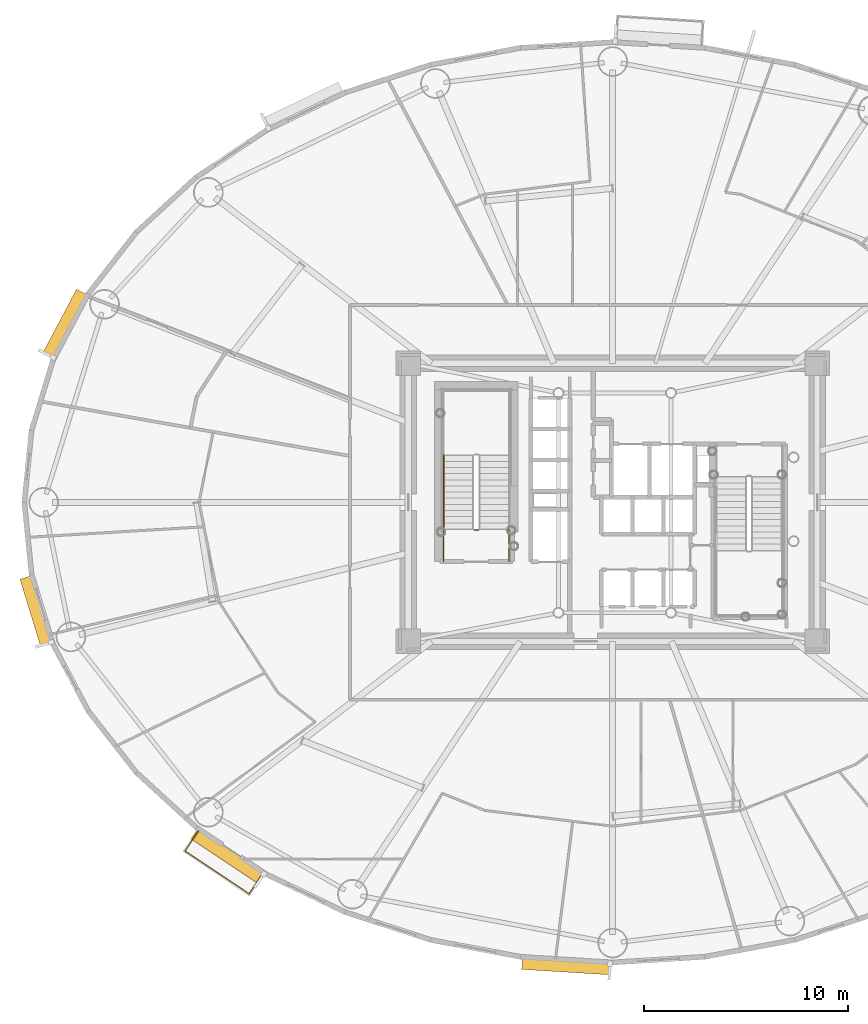
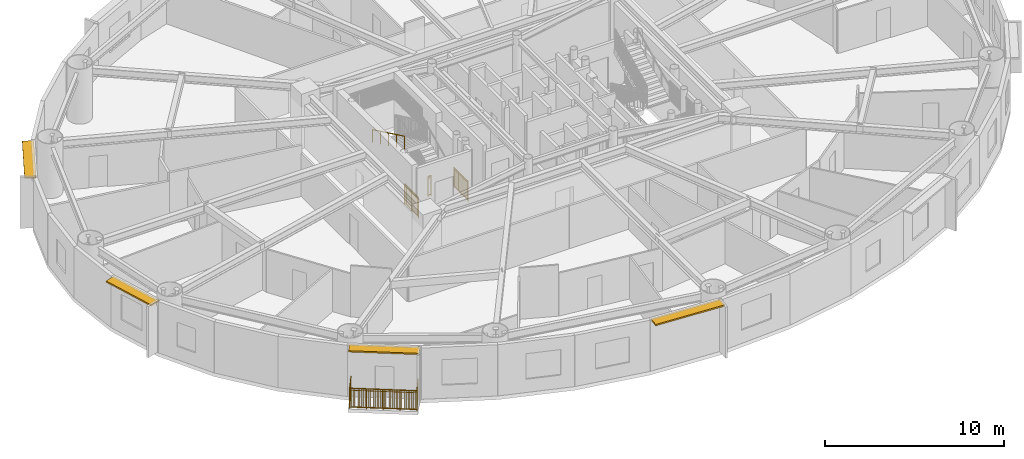
# One storey, part 17 of 22: 5 railings, 4 shading devices.
"""IFC4 building model written with IfcOpenShell, lengths in metres."""

from ifc_helpers import new_model, si_unit, direction, frame, origin, origin_2d, place, context, subcontext, project, spatial, rectangle, extrude, source, transform, mapped, material, layer, layer_set, type_object, element, save


model = new_model("IFC4")

# Units and contexts
model_context = context("Model", 3, precision=1e-05, world=origin(), true_north=direction((0.0, 1.0)))
body_context = subcontext(model_context, "Body", "Model", "MODEL_VIEW")
ifc_project = project(units=[si_unit("LENGTHUNIT", "METRE"), si_unit("AREAUNIT", "SQUARE_METRE"), si_unit("VOLUMEUNIT", "CUBIC_METRE"), si_unit("PLANEANGLEUNIT", "RADIAN"), si_unit("MASSUNIT", "GRAM", prefix="KILO")], contexts=[model_context])

# Site, building, storey
site_placement = place(None, origin())
site = spatial("IfcSite", under=ifc_project, at=site_placement, CompositionType="ELEMENT")
building_placement = place(site_placement, origin())
building = spatial("IfcBuilding", under=site, at=building_placement, Name="Linh Dai School and Residence Tower", CompositionType="ELEMENT")
storey_placement = place(building_placement, frame((0.0, 0.0, 130.949951171875)))
storey = spatial("IfcBuildingStorey", under=building, at=storey_placement, Name="L31", CompositionType="ELEMENT", Elevation=130.949951171875)

# Shading devices
ifc_material_1 = material(Name="Terracotta Ceramic Sunshade", Category="masonry")
ifc_layer = layer(ifc_material_1, 0.10009765625)
ifc_layer_set = layer_set([ifc_layer], Name="Terracotta Ceramic Sunshade")
shading_device_type = type_object("IfcShadingDeviceType", Name="SHD-TC-650", PredefinedType="USERDEFINED", material=ifc_layer_set)
shared_shape_1 = source(origin(), body_context, "Body", "SweptSolid", [
    extrude(rectangle(XDim=3.44384765625, YDim=0.64990234375, at=origin_2d()), origin(), (0.0, 0.0, 1.0), 0.10009765625),
])
shading_device_1_placement = place(storey_placement, frame((7.83154296875, 21.686279296875, 3.3798828125), z_axis=(0.0, 0.0, 1.0), x_axis=(-0.293133528962, 0.956071511028, 0.0)))
element("IfcShadingDevice", 1, at=shading_device_1_placement, inside=storey, type_object=shading_device_type, Name="L31 Terracotta Horizontal Sunshade Band 22", ObjectType="SUNSHADE", PredefinedType="USERDEFINED", context=body_context, shape_type="MappedRepresentation", body=[
    mapped(shared_shape_1, transform((0.0, 0.0, 0.0), x_axis=(1.0, 0.0, 0.0), y_axis=(0.0, 1.0, 0.0), z_axis=(0.0, 0.0, 1.0), scale=1.0)),
])
shared_shape_2 = source(origin(), body_context, "Body", "SweptSolid", [
    extrude(rectangle(XDim=3.96484375, YDim=0.64990234375, at=origin_2d()), origin(), (0.0, 0.0, 1.0), 0.10009765625),
])
shading_device_2_placement = place(storey_placement, frame((17.19970703125, 9.711669921875, 3.3798828125), z_axis=(0.0, 0.0, 1.0), x_axis=(-0.831240347736, 0.555913198527, 0.0)))
element("IfcShadingDevice", 2, at=shading_device_2_placement, inside=storey, type_object=shading_device_type, Name="L31 Terracotta Horizontal Sunshade Band 26", ObjectType="SUNSHADE", PredefinedType="USERDEFINED", context=body_context, shape_type="MappedRepresentation", body=[
    mapped(shared_shape_2, transform((0.0, 0.0, 0.0), x_axis=(1.0, 0.0, 0.0), y_axis=(0.0, 1.0, 0.0), z_axis=(0.0, 0.0, 1.0), scale=1.0)),
])
shared_shape_3 = source(origin(), body_context, "Body", "SweptSolid", [
    extrude(rectangle(XDim=4.33349609375, YDim=0.64990234375, at=origin_2d()), origin(), (0.0, 0.0, 1.0), 0.10009765625),
])
shading_device_3_placement = place(storey_placement, frame((33.729736328125, 4.349365234375, 3.3798828125), z_axis=(0.0, 0.0, 1.0), x_axis=(-0.998106513123, 0.061509255091, 0.0)))
element("IfcShadingDevice", 3, at=shading_device_3_placement, inside=storey, type_object=shading_device_type, Name="L31 Terracotta Horizontal Sunshade Band 30", ObjectType="SUNSHADE", PredefinedType="USERDEFINED", context=body_context, shape_type="MappedRepresentation", body=[
    mapped(shared_shape_3, transform((0.0, 0.0, 0.0), x_axis=(1.0, 0.0, 0.0), y_axis=(0.0, 1.0, 0.0), z_axis=(0.0, 0.0, 1.0), scale=1.0)),
])
shared_shape_4 = source(origin(), body_context, "Body", "SweptSolid", [
    extrude(rectangle(XDim=3.541015625, YDim=0.64990234375, at=origin_2d()), origin(), (0.0, 0.0, 1.0), 0.10009765625),
])
shading_device_4_placement = place(storey_placement, frame((9.240478515625, 35.708740234375, 3.3798828125), z_axis=(0.0, 0.0, 1.0), x_axis=(0.467596217252, 0.883942180016, 0.0)))
element("IfcShadingDevice", 4, at=shading_device_4_placement, inside=storey, type_object=shading_device_type, Name="L31 Terracotta Horizontal Sunshade Band 18", ObjectType="SUNSHADE", PredefinedType="USERDEFINED", context=body_context, shape_type="MappedRepresentation", body=[
    mapped(shared_shape_4, transform((0.0, 0.0, 0.0), x_axis=(1.0, 0.0, 0.0), y_axis=(0.0, 1.0, 0.0), z_axis=(0.0, 0.0, 1.0), scale=1.0)),
])

# Railings
ifc_material_2 = material(Name="Structural Steel S355JR", Category="steel")
railing_type_1 = type_object("IfcRailingType", Name="RL-BAL-1400", PredefinedType="BALUSTRADE", material=ifc_material_2)
shared_shape_5 = source(origin(), body_context, "Body", "SweptSolid", [
    extrude(rectangle(XDim=0.048095703125, YDim=0.048095703125, at=origin_2d()), frame((0.0, 0.0, 1.3759765625), z_axis=(-0.55589317819, -0.831253736498, 0.0), x_axis=(0.831253736498, -0.55589317819, 0.0)), (0.0, 0.0, 1.0), 1.18017578125),
    extrude(rectangle(XDim=0.048095703125, YDim=0.048095703125, at=origin_2d()), frame((0.0, 0.0, 0.10009765625), z_axis=(-0.55589317819, -0.831253736498, 0.0), x_axis=(0.831253736498, -0.55589317819, 0.0)), (0.0, 0.0, 1.0), 1.18017578125),
    extrude(rectangle(XDim=0.030029296875, YDim=0.030029296875, at=origin_2d()), frame((0.0, 0.0, 1.239990234375), z_axis=(-0.55589317819, -0.831253736498, 0.0), x_axis=(0.831253736498, -0.55589317819, 0.0)), (0.0, 0.0, 1.0), 1.18017578125),
    extrude(rectangle(XDim=0.02001953125, YDim=0.02001953125, at=origin_2d()), frame((-0.050537109375, -0.075439453125, 0.10009765625)), (0.0, 0.0, 1.0), 1.251708984375),
    extrude(rectangle(XDim=0.02001953125, YDim=0.02001953125, at=origin_2d()), frame((-0.100830078125, -0.15087890625, 0.10009765625)), (0.0, 0.0, 1.0), 1.251708984375),
    extrude(rectangle(XDim=0.02001953125, YDim=0.02001953125, at=origin_2d()), frame((-0.1513671875, -0.226318359375, 0.10009765625)), (0.0, 0.0, 1.0), 1.251708984375),
    extrude(rectangle(XDim=0.02001953125, YDim=0.02001953125, at=origin_2d()), frame((-0.201904296875, -0.3017578125, 0.10009765625)), (0.0, 0.0, 1.0), 1.251708984375),
    extrude(rectangle(XDim=0.02001953125, YDim=0.02001953125, at=origin_2d()), frame((-0.252197265625, -0.377197265625, 0.10009765625)), (0.0, 0.0, 1.0), 1.251708984375),
    extrude(rectangle(XDim=0.02001953125, YDim=0.02001953125, at=origin_2d()), frame((-0.302734375, -0.45263671875, 0.10009765625)), (0.0, 0.0, 1.0), 1.251708984375),
    extrude(rectangle(XDim=0.02001953125, YDim=0.02001953125, at=origin_2d()), frame((-0.353271484375, -0.5283203125, 0.10009765625)), (0.0, 0.0, 1.0), 1.251708984375),
    extrude(rectangle(XDim=0.02001953125, YDim=0.02001953125, at=origin_2d()), frame((-0.40380859375, -0.603759765625, 0.10009765625)), (0.0, 0.0, 1.0), 1.251708984375),
    extrude(rectangle(XDim=0.02001953125, YDim=0.02001953125, at=origin_2d()), frame((-0.4541015625, -0.67919921875, 0.10009765625)), (0.0, 0.0, 1.0), 1.251708984375),
    extrude(rectangle(XDim=0.02001953125, YDim=0.02001953125, at=origin_2d()), frame((-0.504638671875, -0.754638671875, 0.10009765625)), (0.0, 0.0, 1.0), 1.251708984375),
    extrude(rectangle(XDim=0.02001953125, YDim=0.02001953125, at=origin_2d()), frame((-0.55517578125, -0.830078125, 0.10009765625)), (0.0, 0.0, 1.0), 1.251708984375),
    extrude(rectangle(XDim=0.02001953125, YDim=0.02001953125, at=origin_2d()), frame((-0.60546875, -0.905517578125, 0.10009765625)), (0.0, 0.0, 1.0), 1.251708984375),
    extrude(rectangle(XDim=0.048095703125, YDim=0.048095703125, at=origin_2d()), frame((-0.656005859375, -0.98095703125, 1.3759765625), z_axis=(-0.831222471148, 0.555939927922, 0.0), x_axis=(-0.555939927922, -0.831222471148, 0.0)), (0.0, 0.0, 1.0), 3.77001953125),
    extrude(rectangle(XDim=0.048095703125, YDim=0.048095703125, at=origin_2d()), frame((-0.656005859375, -0.98095703125, 0.10009765625), z_axis=(-0.831222471148, 0.555939927922, 0.0), x_axis=(-0.555939927922, -0.831222471148, 0.0)), (0.0, 0.0, 1.0), 3.77001953125),
    extrude(rectangle(XDim=0.030029296875, YDim=0.030029296875, at=origin_2d()), frame((-0.656005859375, -0.98095703125, 1.239990234375), z_axis=(-0.831222471148, 0.555939927922, 0.0), x_axis=(-0.555939927922, -0.831222471148, 0.0)), (0.0, 0.0, 1.0), 3.77001953125),
    extrude(rectangle(XDim=0.02001953125, YDim=0.02001953125, at=origin_2d()), frame((-0.736328125, -0.92724609375, 0.10009765625)), (0.0, 0.0, 1.0), 1.251708984375),
    extrude(rectangle(XDim=0.02001953125, YDim=0.02001953125, at=origin_2d()), frame((-0.816650390625, -0.87353515625, 0.10009765625)), (0.0, 0.0, 1.0), 1.251708984375),
    extrude(rectangle(XDim=0.02001953125, YDim=0.02001953125, at=origin_2d()), frame((-0.89697265625, -0.81982421875, 0.10009765625)), (0.0, 0.0, 1.0), 1.251708984375),
    extrude(rectangle(XDim=0.02001953125, YDim=0.02001953125, at=origin_2d()), frame((-0.9775390625, -0.765869140625, 0.10009765625)), (0.0, 0.0, 1.0), 1.251708984375),
    extrude(rectangle(XDim=0.02001953125, YDim=0.02001953125, at=origin_2d()), frame((-1.057861328125, -0.712158203125, 0.10009765625)), (0.0, 0.0, 1.0), 1.251708984375),
    extrude(rectangle(XDim=0.02001953125, YDim=0.02001953125, at=origin_2d()), frame((-1.13818359375, -0.658447265625, 0.10009765625)), (0.0, 0.0, 1.0), 1.251708984375),
    extrude(rectangle(XDim=0.02001953125, YDim=0.02001953125, at=origin_2d()), frame((-1.218505859375, -0.604736328125, 0.10009765625)), (0.0, 0.0, 1.0), 1.251708984375),
    extrude(rectangle(XDim=0.02001953125, YDim=0.02001953125, at=origin_2d()), frame((-1.298828125, -0.551025390625, 0.10009765625)), (0.0, 0.0, 1.0), 1.251708984375),
    extrude(rectangle(XDim=0.02001953125, YDim=0.02001953125, at=origin_2d()), frame((-1.379150390625, -0.497314453125, 0.10009765625)), (0.0, 0.0, 1.0), 1.251708984375),
    extrude(rectangle(XDim=0.02001953125, YDim=0.02001953125, at=origin_2d()), frame((-1.539794921875, -0.389892578125, 0.10009765625)), (0.0, 0.0, 1.0), 1.251708984375),
    extrude(rectangle(XDim=0.02001953125, YDim=0.02001953125, at=origin_2d()), frame((-1.620361328125, -0.3359375, 0.10009765625)), (0.0, 0.0, 1.0), 1.251708984375),
    extrude(rectangle(XDim=0.02001953125, YDim=0.02001953125, at=origin_2d()), frame((-1.70068359375, -0.2822265625, 0.10009765625)), (0.0, 0.0, 1.0), 1.251708984375),
    extrude(rectangle(XDim=0.02001953125, YDim=0.02001953125, at=origin_2d()), frame((-1.781005859375, -0.228515625, 0.10009765625)), (0.0, 0.0, 1.0), 1.251708984375),
    extrude(rectangle(XDim=0.02001953125, YDim=0.02001953125, at=origin_2d()), frame((-1.861328125, -0.1748046875, 0.10009765625)), (0.0, 0.0, 1.0), 1.251708984375),
    extrude(rectangle(XDim=0.02001953125, YDim=0.02001953125, at=origin_2d()), frame((-1.941650390625, -0.12109375, 0.10009765625)), (0.0, 0.0, 1.0), 1.251708984375),
    extrude(rectangle(XDim=0.02001953125, YDim=0.02001953125, at=origin_2d()), frame((-2.02197265625, -0.0673828125, 0.10009765625)), (0.0, 0.0, 1.0), 1.251708984375),
    extrude(rectangle(XDim=0.02001953125, YDim=0.02001953125, at=origin_2d()), frame((-2.102294921875, -0.013671875, 0.10009765625)), (0.0, 0.0, 1.0), 1.251708984375),
    extrude(rectangle(XDim=0.02001953125, YDim=0.02001953125, at=origin_2d()), frame((-2.1826171875, 0.0400390625, 0.10009765625)), (0.0, 0.0, 1.0), 1.251708984375),
    extrude(rectangle(XDim=0.02001953125, YDim=0.02001953125, at=origin_2d()), frame((-2.26318359375, 0.093994140625, 0.10009765625)), (0.0, 0.0, 1.0), 1.251708984375),
    extrude(rectangle(XDim=0.02001953125, YDim=0.02001953125, at=origin_2d()), frame((-2.343505859375, 0.147705078125, 0.10009765625)), (0.0, 0.0, 1.0), 1.251708984375),
    extrude(rectangle(XDim=0.02001953125, YDim=0.02001953125, at=origin_2d()), frame((-2.423828125, 0.201416015625, 0.10009765625)), (0.0, 0.0, 1.0), 1.251708984375),
    extrude(rectangle(XDim=0.02001953125, YDim=0.02001953125, at=origin_2d()), frame((-2.504150390625, 0.255126953125, 0.10009765625)), (0.0, 0.0, 1.0), 1.251708984375),
    extrude(rectangle(XDim=0.02001953125, YDim=0.02001953125, at=origin_2d()), frame((-2.58447265625, 0.308837890625, 0.10009765625)), (0.0, 0.0, 1.0), 1.251708984375),
    extrude(rectangle(XDim=0.02001953125, YDim=0.02001953125, at=origin_2d()), frame((-2.664794921875, 0.362548828125, 0.10009765625)), (0.0, 0.0, 1.0), 1.251708984375),
    extrude(rectangle(XDim=0.02001953125, YDim=0.02001953125, at=origin_2d()), frame((-2.7451171875, 0.416259765625, 0.10009765625)), (0.0, 0.0, 1.0), 1.251708984375),
    extrude(rectangle(XDim=0.02001953125, YDim=0.02001953125, at=origin_2d()), frame((-2.825439453125, 0.469970703125, 0.10009765625)), (0.0, 0.0, 1.0), 1.251708984375),
    extrude(rectangle(XDim=0.02001953125, YDim=0.02001953125, at=origin_2d()), frame((-2.906005859375, 0.52392578125, 0.10009765625)), (0.0, 0.0, 1.0), 1.251708984375),
    extrude(rectangle(XDim=0.02001953125, YDim=0.02001953125, at=origin_2d()), frame((-3.066650390625, 0.63134765625, 0.10009765625)), (0.0, 0.0, 1.0), 1.251708984375),
    extrude(rectangle(XDim=0.02001953125, YDim=0.02001953125, at=origin_2d()), frame((-3.14697265625, 0.68505859375, 0.10009765625)), (0.0, 0.0, 1.0), 1.251708984375),
    extrude(rectangle(XDim=0.02001953125, YDim=0.02001953125, at=origin_2d()), frame((-3.227294921875, 0.73876953125, 0.10009765625)), (0.0, 0.0, 1.0), 1.251708984375),
    extrude(rectangle(XDim=0.02001953125, YDim=0.02001953125, at=origin_2d()), frame((-3.3076171875, 0.79248046875, 0.10009765625)), (0.0, 0.0, 1.0), 1.251708984375),
    extrude(rectangle(XDim=0.02001953125, YDim=0.02001953125, at=origin_2d()), frame((-3.387939453125, 0.84619140625, 0.10009765625)), (0.0, 0.0, 1.0), 1.251708984375),
    extrude(rectangle(XDim=0.02001953125, YDim=0.02001953125, at=origin_2d()), frame((-3.46826171875, 0.89990234375, 0.10009765625)), (0.0, 0.0, 1.0), 1.251708984375),
    extrude(rectangle(XDim=0.02001953125, YDim=0.02001953125, at=origin_2d()), frame((-3.548828125, 0.953857421875, 0.10009765625)), (0.0, 0.0, 1.0), 1.251708984375),
    extrude(rectangle(XDim=0.02001953125, YDim=0.02001953125, at=origin_2d()), frame((-3.629150390625, 1.007568359375, 0.10009765625)), (0.0, 0.0, 1.0), 1.251708984375),
    extrude(rectangle(XDim=0.02001953125, YDim=0.02001953125, at=origin_2d()), frame((-3.70947265625, 1.061279296875, 0.10009765625)), (0.0, 0.0, 1.0), 1.251708984375),
    extrude(rectangle(XDim=0.048095703125, YDim=0.048095703125, at=origin_2d()), frame((-3.789794921875, 1.114990234375, 1.3759765625), z_axis=(0.555988788917, 0.831189789758, 0.0), x_axis=(-0.831189789758, 0.555988788917, 0.0)), (0.0, 0.0, 1.0), 1.179931640625),
    extrude(rectangle(XDim=0.048095703125, YDim=0.048095703125, at=origin_2d()), frame((-3.789794921875, 1.114990234375, 0.10009765625), z_axis=(0.555988788917, 0.831189789758, 0.0), x_axis=(-0.831189789758, 0.555988788917, 0.0)), (0.0, 0.0, 1.0), 1.179931640625),
    extrude(rectangle(XDim=0.030029296875, YDim=0.030029296875, at=origin_2d()), frame((-3.789794921875, 1.114990234375, 1.239990234375), z_axis=(0.555988788917, 0.831189789758, 0.0), x_axis=(-0.831189789758, 0.555988788917, 0.0)), (0.0, 0.0, 1.0), 1.179931640625),
    extrude(rectangle(XDim=0.02001953125, YDim=0.02001953125, at=origin_2d()), frame((-3.7392578125, 1.1904296875, 0.10009765625)), (0.0, 0.0, 1.0), 1.251708984375),
    extrude(rectangle(XDim=0.02001953125, YDim=0.02001953125, at=origin_2d()), frame((-3.68896484375, 1.265869140625, 0.10009765625)), (0.0, 0.0, 1.0), 1.251708984375),
    extrude(rectangle(XDim=0.02001953125, YDim=0.02001953125, at=origin_2d()), frame((-3.638427734375, 1.34130859375, 0.10009765625)), (0.0, 0.0, 1.0), 1.251708984375),
    extrude(rectangle(XDim=0.02001953125, YDim=0.02001953125, at=origin_2d()), frame((-3.587890625, 1.416748046875, 0.10009765625)), (0.0, 0.0, 1.0), 1.251708984375),
    extrude(rectangle(XDim=0.02001953125, YDim=0.02001953125, at=origin_2d()), frame((-3.53759765625, 1.4921875, 0.10009765625)), (0.0, 0.0, 1.0), 1.251708984375),
    extrude(rectangle(XDim=0.02001953125, YDim=0.02001953125, at=origin_2d()), frame((-3.487060546875, 1.567626953125, 0.10009765625)), (0.0, 0.0, 1.0), 1.251708984375),
    extrude(rectangle(XDim=0.02001953125, YDim=0.02001953125, at=origin_2d()), frame((-3.4365234375, 1.64306640625, 0.10009765625)), (0.0, 0.0, 1.0), 1.251708984375),
    extrude(rectangle(XDim=0.02001953125, YDim=0.02001953125, at=origin_2d()), frame((-3.385986328125, 1.718505859375, 0.10009765625)), (0.0, 0.0, 1.0), 1.251708984375),
    extrude(rectangle(XDim=0.02001953125, YDim=0.02001953125, at=origin_2d()), frame((-3.335693359375, 1.7939453125, 0.10009765625)), (0.0, 0.0, 1.0), 1.251708984375),
    extrude(rectangle(XDim=0.02001953125, YDim=0.02001953125, at=origin_2d()), frame((-3.28515625, 1.869384765625, 0.10009765625)), (0.0, 0.0, 1.0), 1.251708984375),
    extrude(rectangle(XDim=0.02001953125, YDim=0.02001953125, at=origin_2d()), frame((-3.234619140625, 1.94482421875, 0.10009765625)), (0.0, 0.0, 1.0), 1.251708984375),
    extrude(rectangle(XDim=0.02001953125, YDim=0.02001953125, at=origin_2d()), frame((-3.184326171875, 2.020263671875, 0.10009765625)), (0.0, 0.0, 1.0), 1.251708984375),
    extrude(rectangle(XDim=0.0419921875, YDim=0.0419921875, at=origin_2d()), origin(), (0.0, 0.0, 1.0), 1.3759765625),
    extrude(rectangle(XDim=0.0419921875, YDim=0.0419921875, at=origin_2d()), frame((-0.656005859375, -0.98095703125, 0.0)), (0.0, 0.0, 1.0), 1.3759765625),
    extrude(rectangle(XDim=0.0419921875, YDim=0.0419921875, at=origin_2d()), frame((-1.439453125, -0.45703125, 0.0)), (0.0, 0.0, 1.0), 1.3759765625),
    extrude(rectangle(XDim=0.0419921875, YDim=0.0419921875, at=origin_2d()), frame((-2.222900390625, 0.06689453125, 0.0)), (0.0, 0.0, 1.0), 1.3759765625),
    extrude(rectangle(XDim=0.0419921875, YDim=0.0419921875, at=origin_2d()), frame((-3.00634765625, 0.591064453125, 0.0)), (0.0, 0.0, 1.0), 1.3759765625),
    extrude(rectangle(XDim=0.0419921875, YDim=0.0419921875, at=origin_2d()), frame((-3.789794921875, 1.114990234375, 0.0)), (0.0, 0.0, 1.0), 1.3759765625),
    extrude(rectangle(XDim=0.0419921875, YDim=0.0419921875, at=origin_2d()), frame((-3.1337890625, 2.095703125, 0.0)), (0.0, 0.0, 1.0), 1.3759765625),
])
railing_1_placement = place(storey_placement, frame((18.8779296875, 8.830078125, 0.0)))
element("IfcRailing", 5, at=railing_1_placement, inside=storey, type_object=railing_type_1, Name="L31 Balcony Safety Balustrade 26", PredefinedType="BALUSTRADE", context=body_context, shape_type="MappedRepresentation", body=[
    mapped(shared_shape_5, transform((0.0, 0.0, 0.0), x_axis=(1.0, 0.0, 0.0), y_axis=(0.0, 1.0, 0.0), z_axis=(0.0, 0.0, 1.0), scale=1.0)),
])
railing_type_2 = type_object("IfcRailingType", Name="RL-ST-GUARD-1400", PredefinedType="GUARDRAIL", material=ifc_material_2)
shared_shape_6 = source(origin(), body_context, "Body", "SweptSolid", [
    extrude(rectangle(XDim=0.048095703125, YDim=0.048095703125, at=origin_2d()), frame((0.0, 0.0, 1.3759765625), z_axis=(-1.0, 0.0, 0.0), x_axis=(0.0, -1.0, 0.0)), (0.0, 0.0, 1.0), 0.199951171875),
    extrude(rectangle(XDim=0.048095703125, YDim=0.048095703125, at=origin_2d()), frame((0.0, 0.0, 0.10009765625), z_axis=(-1.0, 0.0, 0.0), x_axis=(0.0, -1.0, 0.0)), (0.0, 0.0, 1.0), 0.199951171875),
    extrude(rectangle(XDim=0.030029296875, YDim=0.030029296875, at=origin_2d()), frame((0.0, 0.0, 1.239990234375), z_axis=(-1.0, 0.0, 0.0), x_axis=(0.0, -1.0, 0.0)), (0.0, 0.0, 1.0), 0.199951171875),
    extrude(rectangle(XDim=0.0419921875, YDim=0.0419921875, at=origin_2d()), origin(), (0.0, 0.0, 1.0), 1.3759765625),
    extrude(rectangle(XDim=0.0419921875, YDim=0.0419921875, at=origin_2d()), frame((-0.199951171875, 0.0, 0.0)), (0.0, 0.0, 1.0), 1.3759765625),
])
railing_2_placement = place(storey_placement, frame((29.429931640625, 25.64990234375, 0.0)))
element("IfcRailing", 6, at=railing_2_placement, inside=storey, type_object=railing_type_2, Name="L31 ST1 stair guard 7", PredefinedType="GUARDRAIL", context=body_context, shape_type="MappedRepresentation", body=[
    mapped(shared_shape_6, transform((0.0, 0.0, 0.0), x_axis=(1.0, 0.0, 0.0), y_axis=(0.0, 1.0, 0.0), z_axis=(0.0, 0.0, 1.0), scale=1.0)),
])
shared_shape_7 = source(origin(), body_context, "Body", "SweptSolid", [
    extrude(rectangle(XDim=0.048095703125, YDim=0.048095703125, at=origin_2d()), frame((0.0, 0.0, 1.3759765625), z_axis=(0.0, 1.0, 0.0), x_axis=(-1.0, 0.0, 0.0)), (0.0, 0.0, 1.0), 1.599853515625),
    extrude(rectangle(XDim=0.048095703125, YDim=0.048095703125, at=origin_2d()), frame((0.0, 0.0, 0.10009765625), z_axis=(0.0, 1.0, 0.0), x_axis=(-1.0, 0.0, 0.0)), (0.0, 0.0, 1.0), 1.599853515625),
    extrude(rectangle(XDim=0.030029296875, YDim=0.030029296875, at=origin_2d()), frame((0.0, 0.0, 1.239990234375), z_axis=(0.0, 1.0, 0.0), x_axis=(-1.0, 0.0, 0.0)), (0.0, 0.0, 1.0), 1.599853515625),
    extrude(rectangle(XDim=0.02001953125, YDim=0.02001953125, at=origin_2d()), frame((0.0, 0.093994140625, 0.10009765625)), (0.0, 0.0, 1.0), 1.251708984375),
    extrude(rectangle(XDim=0.02001953125, YDim=0.02001953125, at=origin_2d()), frame((0.0, 0.188232421875, 0.10009765625)), (0.0, 0.0, 1.0), 1.251708984375),
    extrude(rectangle(XDim=0.02001953125, YDim=0.02001953125, at=origin_2d()), frame((0.0, 0.2822265625, 0.10009765625)), (0.0, 0.0, 1.0), 1.251708984375),
    extrude(rectangle(XDim=0.02001953125, YDim=0.02001953125, at=origin_2d()), frame((0.0, 0.37646484375, 0.10009765625)), (0.0, 0.0, 1.0), 1.251708984375),
    extrude(rectangle(XDim=0.02001953125, YDim=0.02001953125, at=origin_2d()), frame((0.0, 0.470458984375, 0.10009765625)), (0.0, 0.0, 1.0), 1.251708984375),
    extrude(rectangle(XDim=0.02001953125, YDim=0.02001953125, at=origin_2d()), frame((0.0, 0.564697265625, 0.10009765625)), (0.0, 0.0, 1.0), 1.251708984375),
    extrude(rectangle(XDim=0.02001953125, YDim=0.02001953125, at=origin_2d()), frame((0.0, 0.65869140625, 0.10009765625)), (0.0, 0.0, 1.0), 1.251708984375),
    extrude(rectangle(XDim=0.02001953125, YDim=0.02001953125, at=origin_2d()), frame((0.0, 0.7529296875, 0.10009765625)), (0.0, 0.0, 1.0), 1.251708984375),
    extrude(rectangle(XDim=0.02001953125, YDim=0.02001953125, at=origin_2d()), frame((0.0, 0.846923828125, 0.10009765625)), (0.0, 0.0, 1.0), 1.251708984375),
    extrude(rectangle(XDim=0.02001953125, YDim=0.02001953125, at=origin_2d()), frame((0.0, 0.941162109375, 0.10009765625)), (0.0, 0.0, 1.0), 1.251708984375),
    extrude(rectangle(XDim=0.02001953125, YDim=0.02001953125, at=origin_2d()), frame((0.0, 1.03515625, 0.10009765625)), (0.0, 0.0, 1.0), 1.251708984375),
    extrude(rectangle(XDim=0.02001953125, YDim=0.02001953125, at=origin_2d()), frame((0.0, 1.12939453125, 0.10009765625)), (0.0, 0.0, 1.0), 1.251708984375),
    extrude(rectangle(XDim=0.02001953125, YDim=0.02001953125, at=origin_2d()), frame((0.0, 1.223388671875, 0.10009765625)), (0.0, 0.0, 1.0), 1.251708984375),
    extrude(rectangle(XDim=0.02001953125, YDim=0.02001953125, at=origin_2d()), frame((0.0, 1.317626953125, 0.10009765625)), (0.0, 0.0, 1.0), 1.251708984375),
    extrude(rectangle(XDim=0.02001953125, YDim=0.02001953125, at=origin_2d()), frame((0.0, 1.41162109375, 0.10009765625)), (0.0, 0.0, 1.0), 1.251708984375),
    extrude(rectangle(XDim=0.02001953125, YDim=0.02001953125, at=origin_2d()), frame((0.0, 1.505859375, 0.10009765625)), (0.0, 0.0, 1.0), 1.251708984375),
    extrude(rectangle(XDim=0.0419921875, YDim=0.0419921875, at=origin_2d()), origin(), (0.0, 0.0, 1.0), 1.3759765625),
    extrude(rectangle(XDim=0.0419921875, YDim=0.0419921875, at=origin_2d()), frame((0.0, 0.7998046875, 0.0)), (0.0, 0.0, 1.0), 1.3759765625),
    extrude(rectangle(XDim=0.0419921875, YDim=0.0419921875, at=origin_2d()), frame((0.0, 1.599853515625, 0.0)), (0.0, 0.0, 1.0), 1.3759765625),
])
for number, where, name in (
    (7, (30.929931640625, 24.10009765625, 0.0), "L31 ST1 stair guard 8"),
    (8, (27.72998046875, 24.10009765625, 0.0), "L31 ST1 stair guard 9"),
):
    element("IfcRailing", number, at=place(storey_placement, frame(where)), inside=storey, type_object=railing_type_2, Name=name, PredefinedType="GUARDRAIL", context=body_context, shape_type="MappedRepresentation", body=[
        mapped(shared_shape_7, transform((0.0, 0.0, 0.0), x_axis=(1.0, 0.0, 0.0), y_axis=(0.0, 1.0, 0.0), z_axis=(0.0, 0.0, 1.0), scale=1.0)),
    ])
ifc_material_3 = material(Name="Brushed Stainless Steel Handrail", Category="steel")
railing_type_3 = type_object("IfcRailingType", Name="RL-ST-HANDRAIL-900", PredefinedType="HANDRAIL", material=ifc_material_3)
shared_shape_8 = source(origin(), body_context, "Body", "SweptSolid", [
    extrude(rectangle(XDim=0.048095703125, YDim=0.048095703125, at=origin_2d()), frame((0.0, 0.0, 0.8759765625), z_axis=(0.0, -0.901262522062, 0.433273431364), x_axis=(1.0, 0.0, 0.0)), (0.0, 0.0, 1.0), 3.994384765625),
    extrude(rectangle(XDim=0.0419921875, YDim=0.0419921875, at=origin_2d()), origin(), (0.0, 0.0, 1.0), 0.8759765625),
    extrude(rectangle(XDim=0.0419921875, YDim=0.0419921875, at=origin_2d()), frame((0.0, -0.89990234375, 0.4326171875)), (0.0, 0.0, 1.0), 0.8759765625),
    extrude(rectangle(XDim=0.0419921875, YDim=0.0419921875, at=origin_2d()), frame((0.0, -1.800048828125, 0.865234375)), (0.0, 0.0, 1.0), 0.8759765625),
    extrude(rectangle(XDim=0.0419921875, YDim=0.0419921875, at=origin_2d()), frame((0.0, -2.7001953125, 1.298095703125)), (0.0, 0.0, 1.0), 0.8759765625),
    extrude(rectangle(XDim=0.0419921875, YDim=0.0419921875, at=origin_2d()), frame((0.0, -3.60009765625, 1.730712890625)), (0.0, 0.0, 1.0), 0.8759765625),
])
railing_3_placement = place(storey_placement, frame((27.72998046875, 29.300048828125, 2.019287109375)))
element("IfcRailing", 9, at=railing_3_placement, inside=storey, type_object=railing_type_3, Name="L31 ST1 stair handrail 2", PredefinedType="HANDRAIL", context=body_context, shape_type="MappedRepresentation", body=[
    mapped(shared_shape_8, transform((0.0, 0.0, 0.0), x_axis=(1.0, 0.0, 0.0), y_axis=(0.0, 1.0, 0.0), z_axis=(0.0, 0.0, 1.0), scale=1.0)),
])

save(model, "model.ifc")
